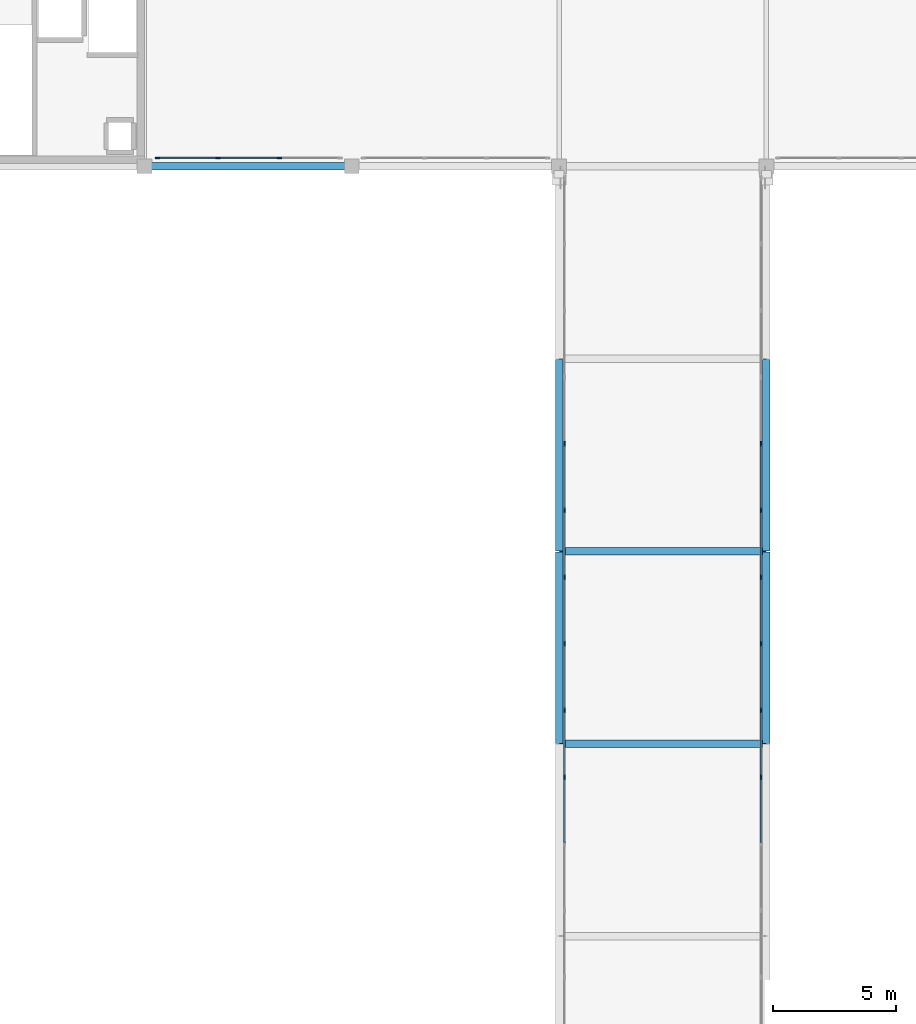
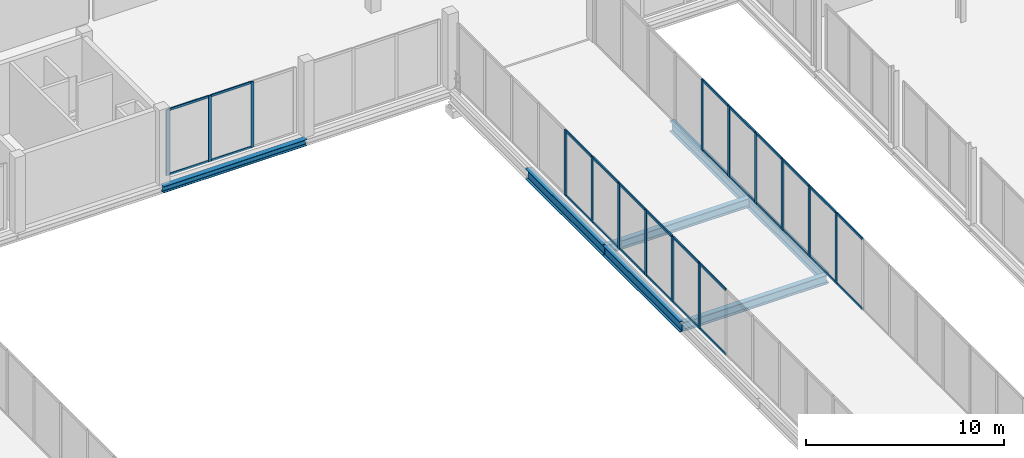
# One storey, part 41 of 98: 43 members, 7 beams, 3 elements without a shape of their own.
"""IFC4 building model written with IfcOpenShell, lengths in metres."""

import ifcopenshell
import ifcopenshell.guid

model = None  # the IFC model being written
_history = None  # IfcOwnerHistory: only IFC2X3 demands one
_inside = {}  # id of a spatial element -> (the spatial element, [elements in it])
_under = {}  # id of a project, library or spatial element -> (it, [spatial elements below it])
_declared = {}  # id of a project -> (the project, [libraries it declares])
_typed = {}  # id of a type object -> (the type object, [elements of that type])
_made_of = {}  # id of a material, layer set ... -> (it, [elements and type objects made of it])


def new_model(schema):
    """Start an empty IFC model of exactly this schema.

    Asked for "IFC4X3", IfcOpenShell would pick the latest addendum, in which some entities
    have other attributes; the version numbers below select the first issue.
    IFC2X3 requires an IfcOwnerHistory on every rooted entity: one is made here for all.
    """
    global model, _history
    if schema == "IFC4X3":
        model = ifcopenshell.file(schema_version=(4, 3, 0, 0))
    else:
        model = ifcopenshell.file(schema=schema)
    _inside.clear()
    _under.clear()
    _declared.clear()
    _typed.clear()
    _made_of.clear()
    _history = None
    if model.schema == "IFC2X3":
        org = make("IfcOrganization", Name="unknown")
        user = make(
            "IfcPersonAndOrganization",
            ThePerson=make("IfcPerson", FamilyName="unknown"),
            TheOrganization=org,
        )
        app = make(
            "IfcApplication",
            ApplicationDeveloper=org,
            Version="unknown",
            ApplicationFullName="unknown",
            ApplicationIdentifier="unknown",
        )
        _history = make(
            "IfcOwnerHistory",
            OwningUser=user,
            OwningApplication=app,
            ChangeAction="ADDED",
            CreationDate=0,
        )
    return model


def make(cls, **values):
    """One entity of the class cls with the attributes given. An attribute that is None is left unset."""
    return model.create_entity(
        cls, **{name: value for name, value in values.items() if value is not None}
    )


def rooted(cls, **values):
    """An entity with a GlobalId (a new one), such as an element, a storey or a relation."""
    return make(cls, GlobalId=ifcopenshell.guid.new(), OwnerHistory=_history, **values)


def si_unit(unit_type, name, prefix=None):
    """IfcSIUnit, for example si_unit("LENGTHUNIT", "METRE", prefix="MILLI")."""
    return make("IfcSIUnit", UnitType=unit_type, Prefix=prefix, Name=name)


def assignment(units):
    """IfcUnitAssignment: the units of a project."""
    return None if units is None else make("IfcUnitAssignment", Units=units)


def point(xyz):
    """IfcCartesianPoint."""
    return None if xyz is None else make("IfcCartesianPoint", Coordinates=xyz)


def direction(xyz):
    """IfcDirection."""
    return None if xyz is None else make("IfcDirection", DirectionRatios=xyz)


def frame(location, z_axis=None, x_axis=None):
    """IfcAxis2Placement3D, a coordinate frame: its origin and axes. An axis left out is left unset."""
    return make(
        "IfcAxis2Placement3D",
        Location=point(location),
        Axis=direction(z_axis),
        RefDirection=direction(x_axis),
    )


def frame_2d(location, x_axis=None):
    """IfcAxis2Placement2D, a coordinate frame in the plane: its origin and x axis."""
    return make(
        "IfcAxis2Placement2D", Location=point(location), RefDirection=direction(x_axis)
    )


def origin():
    """The frame at (0, 0, 0) with its axes left unset."""
    return frame((0.0, 0.0, 0.0))


def origin_2d():
    """The frame at (0, 0) in the plane with its x axis left unset."""
    return frame_2d((0.0, 0.0))


def place(relative_to, where):
    """IfcLocalPlacement: puts the frame where relative to a parent placement (None: the world)."""
    return make(
        "IfcLocalPlacement", PlacementRelTo=relative_to, RelativePlacement=where
    )


def context(
    kind, dimensions, precision=None, world=None, true_north=None, identifier=None
):
    """IfcGeometricRepresentationContext, for example the 3D "Model" context."""
    return make(
        "IfcGeometricRepresentationContext",
        ContextIdentifier=identifier,
        ContextType=kind,
        CoordinateSpaceDimension=dimensions,
        Precision=precision,
        WorldCoordinateSystem=world,
        TrueNorth=true_north,
    )


def subcontext(parent, identifier, kind, view, scale=None):
    """IfcGeometricRepresentationSubContext, for example "Body" below "Model"."""
    return make(
        "IfcGeometricRepresentationSubContext",
        ContextIdentifier=identifier,
        ContextType=kind,
        ParentContext=parent,
        TargetScale=scale,
        TargetView=view,
    )


def project(units=None, contexts=None):
    """IfcProject with its units and contexts."""
    return rooted(
        "IfcProject",
        Name="project",
        RepresentationContexts=contexts,
        UnitsInContext=assignment(units),
    )


def spatial(cls, under=None, at=None, **own):
    """A site, building, storey or space (cls), placed at a placement, below another one or the project."""
    s = rooted(cls, ObjectPlacement=at, **own)
    if under is not None:
        _under.setdefault(under.id(), (under, []))[1].append(s)
    return s


def profile(cls, at=None, kind="AREA", **sizes):
    """A parametric profile (cls). Its sizes go by their IFC names, for example OverallWidth=200.0."""
    return make(cls, ProfileType=kind, Position=at, **sizes)


def rectangle(**sizes):
    """IfcRectangleProfileDef."""
    return profile("IfcRectangleProfileDef", **sizes)


def i_section(**sizes):
    """IfcIShapeProfileDef."""
    return profile("IfcIShapeProfileDef", **sizes)


def extrude(swept, where, along, depth):
    """IfcExtrudedAreaSolid: the profile swept, set in the frame where, extruded along a direction by depth."""
    return make(
        "IfcExtrudedAreaSolid",
        SweptArea=swept,
        Position=where,
        ExtrudedDirection=direction(along),
        Depth=depth,
    )


def shape(context_of_items, identifier, shape_type, items):
    """IfcShapeRepresentation: the items that make up one representation, for example the "Body"."""
    return make(
        "IfcShapeRepresentation",
        ContextOfItems=context_of_items,
        RepresentationIdentifier=identifier,
        RepresentationType=shape_type,
        Items=items,
    )


def material(Name=None, Category=None):
    """IfcMaterial."""
    return make("IfcMaterial", Name=Name, Category=Category)


def material_profile(
    of_material, cross_section, Name=None, Category=None, Priority=None
):
    """IfcMaterialProfile: a cross section and its material."""
    return make(
        "IfcMaterialProfile",
        Name=Name,
        Material=of_material,
        Profile=cross_section,
        Priority=Priority,
        Category=Category,
    )


def profile_set(profiles, Name=None, composite=None):
    """IfcMaterialProfileSet."""
    return make(
        "IfcMaterialProfileSet",
        Name=Name,
        MaterialProfiles=profiles,
        CompositeProfile=composite,
    )


def made_of(thing, what):
    """Note that an element or type object is made of a material, layer set ...; save() writes the relation."""
    if what is not None:
        _made_of.setdefault(what.id(), (what, []))[1].append(thing)
    return thing


def type_object(cls, material=None, **own):
    """A type object (cls), such as IfcWallType, which elements share."""
    return made_of(rooted(cls, **own), material)


def element(
    cls,
    number,
    at=None,
    inside=None,
    cuts=None,
    type_object=None,
    material=None,
    context=None,
    identifier="Body",
    shape_type=None,
    held_by="IfcProductDefinitionShape",
    body=None,
    shapes=None,
    **own,
):
    """One element of the class cls, such as IfcWall. Its Tag is "e" and its number.

    at: its placement. inside: the storey or other place that contains it. cuts: it is an
    opening in that element (IfcRelVoidsElement). A single representation is given by context,
    identifier, shape_type and body (its items); several are given by shapes. held_by: the class
    of the entity that holds the representations. save() writes the other relations.
    """
    e = rooted(cls, Tag="e%d" % number, ObjectPlacement=at, **own)
    if body is not None:
        shapes = [shape(context, identifier, shape_type, body)]
    if shapes is not None:
        e.Representation = make(held_by, Representations=shapes)
    if inside is not None:
        _inside.setdefault(inside.id(), (inside, []))[1].append(e)
    if cuts is not None:
        rooted(
            "IfcRelVoidsElement", RelatingBuildingElement=cuts, RelatedOpeningElement=e
        )
    if type_object is not None:
        _typed.setdefault(type_object.id(), (type_object, []))[1].append(e)
    return made_of(e, material)


def aggregate(whole, parts):
    """IfcRelAggregates: a whole, such as a stair, and the parts it consists of."""
    return rooted("IfcRelAggregates", RelatingObject=whole, RelatedObjects=parts)


def save(model, path):
    """Write the relations noted so far, then the file.

    IfcRelAggregates (storeys below a building ...), IfcRelContainedInSpatialStructure (elements
    in a storey), IfcRelDefinesByType, IfcRelAssociatesMaterial and IfcRelDeclares: one each for
    every whole, place, type object, material and project.
    """
    for whole, parts in _under.values():
        aggregate(whole, parts)
    for where, things in _inside.values():
        rooted(
            "IfcRelContainedInSpatialStructure",
            RelatedElements=things,
            RelatingStructure=where,
        )
    for kind, things in _typed.values():
        rooted("IfcRelDefinesByType", RelatedObjects=things, RelatingType=kind)
    for what, things in _made_of.values():
        rooted("IfcRelAssociatesMaterial", RelatedObjects=things, RelatingMaterial=what)
    for by, libraries in _declared.values():
        rooted("IfcRelDeclares", RelatingContext=by, RelatedDefinitions=libraries)
    model.write(path)


model = new_model("IFC4")

# Units and contexts
model_context = context("Model", 3, precision=1e-05, world=origin(), true_north=direction((0.0, 1.0)))
body_context = subcontext(model_context, "Body", "Model", "MODEL_VIEW")
ifc_project = project(units=[si_unit("LENGTHUNIT", "METRE"), si_unit("AREAUNIT", "SQUARE_METRE"), si_unit("VOLUMEUNIT", "CUBIC_METRE"), si_unit("PLANEANGLEUNIT", "RADIAN"), si_unit("MASSUNIT", "GRAM", prefix="KILO")], contexts=[model_context])

# Site, building, storey
site_placement = place(None, origin())
site = spatial("IfcSite", under=ifc_project, at=site_placement, CompositionType="ELEMENT")
building_placement = place(site_placement, origin())
building = spatial("IfcBuilding", under=site, at=building_placement, Name="Nabrawat Pavilion Hospital", CompositionType="ELEMENT")
storey_placement = place(building_placement, frame((0.0, 0.0, 10.199951171875)))
storey = spatial("IfcBuildingStorey", under=building, at=storey_placement, Name="L02", CompositionType="ELEMENT", Elevation=10.199951171875)

# Beams
ifc_material_1 = material(Name="Steel S355", Category="steel")
ifc_material_profile_1 = material_profile(ifc_material_1, i_section(OverallWidth=0.300048828125, OverallDepth=0.64990234375, WebThickness=0.01611328125, FlangeThickness=0.031005859375, FilletRadius=0.027099609375, at=origin_2d()), Name="HEB 650")
ifc_profile_set_1 = profile_set([ifc_material_profile_1], Name="Steel S355")
beam_type_1 = type_object("IfcBeamType", Name="Courtyard Link Bridge Edge Girder HEB 650", PredefinedType="USERDEFINED", material=ifc_profile_set_1)
for number, where, z_axis, x_axis, name in (
    (1, (109.199951171875, 62.419921875, -0.614990234375), (0.0, 1.0, 0.0), (-1.0, 0.0, 0.0), "L02 Courtyard Link Bridge Edge Girder 1260"),
    (2, (109.199951171875, 70.219970703125, -0.614990234375), (0.0, 1.0, 0.0), (-1.0, 0.0, 0.0), "L02 Courtyard Link Bridge Edge Girder 1261"),
    (3, (117.60009765625, 62.419921875, -0.614990234375), (0.0, 1.0, 0.0), (-1.0, 0.0, 0.0), "L02 Courtyard Link Bridge Edge Girder 1269"),
    (4, (117.60009765625, 70.219970703125, -0.614990234375), (0.0, 1.0, 0.0), (-1.0, 0.0, 0.0), "L02 Courtyard Link Bridge Edge Girder 1270"),
):
    element("IfcBeam", number, at=place(storey_placement, frame(where, z_axis=z_axis, x_axis=x_axis)), inside=storey, type_object=beam_type_1, Name=name, ObjectType="GIRDER", PredefinedType="USERDEFINED", context=body_context, shape_type="SweptSolid", body=[
        extrude(i_section(OverallWidth=0.300048828125, OverallDepth=0.64990234375, WebThickness=0.01611328125, FlangeThickness=0.031005859375, FilletRadius=0.027099609375, at=origin_2d()), origin(), (0.0, 0.0, 1.0), 7.760009765625),
    ])

# Curtain wall, members
ifc_material_2 = material(Name="Anodised Aluminium", Category="aluminium")
curtain_wall_type_1 = type_object("IfcCurtainWallType", Name="Courtyard Link Bridge Glazed Curtain Wall", PredefinedType="USERDEFINED", material=ifc_material_2)
curtain_wall_1_placement = place(storey_placement, origin())
curtain_wall_1 = element("IfcCurtainWall", 5, at=curtain_wall_1_placement, inside=storey, type_object=curtain_wall_type_1, Name="L02 Courtyard Link Bridge Glazed Curtain Wall 126", ObjectType="CURTAIN WALL", PredefinedType="USERDEFINED")
ifc_material_profile_2 = material_profile(ifc_material_2, rectangle(XDim=0.070068359375, YDim=0.199951171875, at=origin_2d()), Name="CWM 70x200")
ifc_profile_set_2 = profile_set([ifc_material_profile_2], Name="Anodised Aluminium")
member_type_1 = type_object("IfcMemberType", Name="Courtyard Link Bridge Glazed Curtain Wall Mullion CWM 70x200", PredefinedType="MULLION", material=ifc_profile_set_2)
member_1_placement = place(storey_placement, frame((109.419921875, 61.04931640625, 0.0), z_axis=(0.0, 0.0, 1.0), x_axis=(-1.0, 0.0, 0.0)))
member_1 = element("IfcMember", 6, at=member_1_placement, type_object=member_type_1, Name="CW-BRG-01 mullion 9", PredefinedType="MULLION", context=body_context, shape_type="SweptSolid", body=[
    extrude(rectangle(XDim=0.070068359375, YDim=0.199951171875, at=origin_2d()), origin(), (0.0, 0.0, 1.0), 4.0400390625),
])
member_2_placement = place(storey_placement, frame((109.419921875, 63.75048828125, 0.0), z_axis=(0.0, 0.0, 1.0), x_axis=(-1.0, 0.0, 0.0)))
member_2 = element("IfcMember", 7, at=member_2_placement, type_object=member_type_1, Name="CW-BRG-01 mullion 10", PredefinedType="MULLION", context=body_context, shape_type="SweptSolid", body=[
    extrude(rectangle(XDim=0.070068359375, YDim=0.199951171875, at=origin_2d()), origin(), (0.0, 0.0, 1.0), 4.0400390625),
])
member_3_placement = place(storey_placement, frame((109.419921875, 66.45166015625, 0.0), z_axis=(0.0, 0.0, 1.0), x_axis=(-1.0, 0.0, 0.0)))
member_3 = element("IfcMember", 8, at=member_3_placement, type_object=member_type_1, Name="CW-BRG-01 mullion 11", PredefinedType="MULLION", context=body_context, shape_type="SweptSolid", body=[
    extrude(rectangle(XDim=0.070068359375, YDim=0.199951171875, at=origin_2d()), origin(), (0.0, 0.0, 1.0), 4.0400390625),
])
member_4_placement = place(storey_placement, frame((109.419921875, 69.15283203125, 0.0), z_axis=(0.0, 0.0, 1.0), x_axis=(-1.0, 0.0, 0.0)))
member_4 = element("IfcMember", 9, at=member_4_placement, type_object=member_type_1, Name="CW-BRG-01 mullion 12", PredefinedType="MULLION", context=body_context, shape_type="SweptSolid", body=[
    extrude(rectangle(XDim=0.070068359375, YDim=0.199951171875, at=origin_2d()), origin(), (0.0, 0.0, 1.0), 4.0400390625),
])
member_5_placement = place(storey_placement, frame((109.419921875, 71.85400390625, 0.0), z_axis=(0.0, 0.0, 1.0), x_axis=(-1.0, 0.0, 0.0)))
member_5 = element("IfcMember", 10, at=member_5_placement, type_object=member_type_1, Name="CW-BRG-01 mullion 13", PredefinedType="MULLION", context=body_context, shape_type="SweptSolid", body=[
    extrude(rectangle(XDim=0.070068359375, YDim=0.199951171875, at=origin_2d()), origin(), (0.0, 0.0, 1.0), 4.0400390625),
])
member_6_placement = place(storey_placement, frame((109.419921875, 74.55517578125, 0.0), z_axis=(0.0, 0.0, 1.0), x_axis=(-1.0, 0.0, 0.0)))
member_6 = element("IfcMember", 11, at=member_6_placement, type_object=member_type_1, Name="CW-BRG-01 mullion 14", PredefinedType="MULLION", context=body_context, shape_type="SweptSolid", body=[
    extrude(rectangle(XDim=0.070068359375, YDim=0.199951171875, at=origin_2d()), origin(), (0.0, 0.0, 1.0), 4.0400390625),
])

curtain_wall_2_placement = place(storey_placement, origin())
curtain_wall_2 = element("IfcCurtainWall", 12, at=curtain_wall_2_placement, inside=storey, type_object=curtain_wall_type_1, Name="L02 Courtyard Link Bridge Glazed Curtain Wall 127", ObjectType="CURTAIN WALL", PredefinedType="USERDEFINED")
member_7_placement = place(storey_placement, frame((117.3798828125, 61.04931640625, 0.0), z_axis=(0.0, 0.0, 1.0), x_axis=(-1.0, 0.0, 0.0)))
member_7 = element("IfcMember", 13, at=member_7_placement, type_object=member_type_1, Name="CW-BRG-01 mullion 9", PredefinedType="MULLION", context=body_context, shape_type="SweptSolid", body=[
    extrude(rectangle(XDim=0.070068359375, YDim=0.199951171875, at=origin_2d()), origin(), (0.0, 0.0, 1.0), 4.3701171875),
])
member_8_placement = place(storey_placement, frame((117.3798828125, 63.75048828125, 0.0), z_axis=(0.0, 0.0, 1.0), x_axis=(-1.0, 0.0, 0.0)))
member_8 = element("IfcMember", 14, at=member_8_placement, type_object=member_type_1, Name="CW-BRG-01 mullion 10", PredefinedType="MULLION", context=body_context, shape_type="SweptSolid", body=[
    extrude(rectangle(XDim=0.070068359375, YDim=0.199951171875, at=origin_2d()), origin(), (0.0, 0.0, 1.0), 4.3701171875),
])
member_9_placement = place(storey_placement, frame((117.3798828125, 66.45166015625, 0.0), z_axis=(0.0, 0.0, 1.0), x_axis=(-1.0, 0.0, 0.0)))
member_9 = element("IfcMember", 15, at=member_9_placement, type_object=member_type_1, Name="CW-BRG-01 mullion 11", PredefinedType="MULLION", context=body_context, shape_type="SweptSolid", body=[
    extrude(rectangle(XDim=0.070068359375, YDim=0.199951171875, at=origin_2d()), origin(), (0.0, 0.0, 1.0), 4.3701171875),
])
member_10_placement = place(storey_placement, frame((117.3798828125, 69.15283203125, 0.0), z_axis=(0.0, 0.0, 1.0), x_axis=(-1.0, 0.0, 0.0)))
member_10 = element("IfcMember", 16, at=member_10_placement, type_object=member_type_1, Name="CW-BRG-01 mullion 12", PredefinedType="MULLION", context=body_context, shape_type="SweptSolid", body=[
    extrude(rectangle(XDim=0.070068359375, YDim=0.199951171875, at=origin_2d()), origin(), (0.0, 0.0, 1.0), 4.3701171875),
])
member_11_placement = place(storey_placement, frame((117.3798828125, 71.85400390625, 0.0), z_axis=(0.0, 0.0, 1.0), x_axis=(-1.0, 0.0, 0.0)))
member_11 = element("IfcMember", 17, at=member_11_placement, type_object=member_type_1, Name="CW-BRG-01 mullion 13", PredefinedType="MULLION", context=body_context, shape_type="SweptSolid", body=[
    extrude(rectangle(XDim=0.070068359375, YDim=0.199951171875, at=origin_2d()), origin(), (0.0, 0.0, 1.0), 4.3701171875),
])
member_12_placement = place(storey_placement, frame((117.3798828125, 74.55517578125, 0.0), z_axis=(0.0, 0.0, 1.0), x_axis=(-1.0, 0.0, 0.0)))
member_12 = element("IfcMember", 18, at=member_12_placement, type_object=member_type_1, Name="CW-BRG-01 mullion 14", PredefinedType="MULLION", context=body_context, shape_type="SweptSolid", body=[
    extrude(rectangle(XDim=0.070068359375, YDim=0.199951171875, at=origin_2d()), origin(), (0.0, 0.0, 1.0), 4.3701171875),
])

# Member
ifc_material_profile_3 = material_profile(ifc_material_2, rectangle(XDim=0.070068359375, YDim=0.14990234375, at=origin_2d()), Name="CWT 70x150")
ifc_profile_set_3 = profile_set([ifc_material_profile_3], Name="Anodised Aluminium")
member_type_2 = type_object("IfcMemberType", Name="Courtyard Link Bridge Glazed Curtain Wall Transom CWT 70x150", PredefinedType="USERDEFINED", material=ifc_profile_set_3)
member_13_placement = place(storey_placement, frame((109.419921875, 58.38330078125, 0.03515625), z_axis=(0.0, 1.0, 0.0), x_axis=(-1.0, 0.0, 0.0)))
member_13 = element("IfcMember", 19, at=member_13_placement, type_object=member_type_2, Name="CW-BRG-01 transom 8.1", ObjectType="TRANSOM", PredefinedType="USERDEFINED", context=body_context, shape_type="SweptSolid", body=[
    extrude(rectangle(XDim=0.070068359375, YDim=0.14990234375, at=origin_2d()), origin(), (0.0, 0.0, 1.0), 2.631103515625),
])

member_14_placement = place(storey_placement, frame((109.419921875, 58.38330078125, 4.005126953125), z_axis=(0.0, 1.0, 0.0), x_axis=(-1.0, 0.0, 0.0)))
member_14 = element("IfcMember", 20, at=member_14_placement, type_object=member_type_2, Name="CW-BRG-01 transom 8.2", ObjectType="TRANSOM", PredefinedType="USERDEFINED", context=body_context, shape_type="SweptSolid", body=[
    extrude(rectangle(XDim=0.070068359375, YDim=0.14990234375, at=origin_2d()), origin(), (0.0, 0.0, 1.0), 2.631103515625),
])

member_15_placement = place(storey_placement, frame((109.419921875, 61.08447265625, 0.03515625), z_axis=(0.0, 1.0, 0.0), x_axis=(-1.0, 0.0, 0.0)))
member_15 = element("IfcMember", 21, at=member_15_placement, type_object=member_type_2, Name="CW-BRG-01 transom 9.1", ObjectType="TRANSOM", PredefinedType="USERDEFINED", context=body_context, shape_type="SweptSolid", body=[
    extrude(rectangle(XDim=0.070068359375, YDim=0.14990234375, at=origin_2d()), origin(), (0.0, 0.0, 1.0), 2.631103515625),
])

member_16_placement = place(storey_placement, frame((109.419921875, 61.08447265625, 4.005126953125), z_axis=(0.0, 1.0, 0.0), x_axis=(-1.0, 0.0, 0.0)))
member_16 = element("IfcMember", 22, at=member_16_placement, type_object=member_type_2, Name="CW-BRG-01 transom 9.2", ObjectType="TRANSOM", PredefinedType="USERDEFINED", context=body_context, shape_type="SweptSolid", body=[
    extrude(rectangle(XDim=0.070068359375, YDim=0.14990234375, at=origin_2d()), origin(), (0.0, 0.0, 1.0), 2.631103515625),
])

member_17_placement = place(storey_placement, frame((109.419921875, 63.78564453125, 0.03515625), z_axis=(0.0, 1.0, 0.0), x_axis=(-1.0, 0.0, 0.0)))
member_17 = element("IfcMember", 23, at=member_17_placement, type_object=member_type_2, Name="CW-BRG-01 transom 10.1", ObjectType="TRANSOM", PredefinedType="USERDEFINED", context=body_context, shape_type="SweptSolid", body=[
    extrude(rectangle(XDim=0.070068359375, YDim=0.14990234375, at=origin_2d()), origin(), (0.0, 0.0, 1.0), 2.631103515625),
])

member_18_placement = place(storey_placement, frame((109.419921875, 63.78564453125, 4.005126953125), z_axis=(0.0, 1.0, 0.0), x_axis=(-1.0, 0.0, 0.0)))
member_18 = element("IfcMember", 24, at=member_18_placement, type_object=member_type_2, Name="CW-BRG-01 transom 10.2", ObjectType="TRANSOM", PredefinedType="USERDEFINED", context=body_context, shape_type="SweptSolid", body=[
    extrude(rectangle(XDim=0.070068359375, YDim=0.14990234375, at=origin_2d()), origin(), (0.0, 0.0, 1.0), 2.631103515625),
])

member_19_placement = place(storey_placement, frame((109.419921875, 66.48681640625, 0.03515625), z_axis=(0.0, 1.0, 0.0), x_axis=(-1.0, 0.0, 0.0)))
member_19 = element("IfcMember", 25, at=member_19_placement, type_object=member_type_2, Name="CW-BRG-01 transom 11.1", ObjectType="TRANSOM", PredefinedType="USERDEFINED", context=body_context, shape_type="SweptSolid", body=[
    extrude(rectangle(XDim=0.070068359375, YDim=0.14990234375, at=origin_2d()), origin(), (0.0, 0.0, 1.0), 2.631103515625),
])

member_20_placement = place(storey_placement, frame((109.419921875, 66.48681640625, 4.005126953125), z_axis=(0.0, 1.0, 0.0), x_axis=(-1.0, 0.0, 0.0)))
member_20 = element("IfcMember", 26, at=member_20_placement, type_object=member_type_2, Name="CW-BRG-01 transom 11.2", ObjectType="TRANSOM", PredefinedType="USERDEFINED", context=body_context, shape_type="SweptSolid", body=[
    extrude(rectangle(XDim=0.070068359375, YDim=0.14990234375, at=origin_2d()), origin(), (0.0, 0.0, 1.0), 2.631103515625),
])

member_21_placement = place(storey_placement, frame((109.419921875, 69.18798828125, 0.03515625), z_axis=(0.0, 1.0, 0.0), x_axis=(-1.0, 0.0, 0.0)))
member_21 = element("IfcMember", 27, at=member_21_placement, type_object=member_type_2, Name="CW-BRG-01 transom 12.1", ObjectType="TRANSOM", PredefinedType="USERDEFINED", context=body_context, shape_type="SweptSolid", body=[
    extrude(rectangle(XDim=0.070068359375, YDim=0.14990234375, at=origin_2d()), origin(), (0.0, 0.0, 1.0), 2.631103515625),
])

member_22_placement = place(storey_placement, frame((109.419921875, 69.18798828125, 4.005126953125), z_axis=(0.0, 1.0, 0.0), x_axis=(-1.0, 0.0, 0.0)))
member_22 = element("IfcMember", 28, at=member_22_placement, type_object=member_type_2, Name="CW-BRG-01 transom 12.2", ObjectType="TRANSOM", PredefinedType="USERDEFINED", context=body_context, shape_type="SweptSolid", body=[
    extrude(rectangle(XDim=0.070068359375, YDim=0.14990234375, at=origin_2d()), origin(), (0.0, 0.0, 1.0), 2.631103515625),
])

member_23_placement = place(storey_placement, frame((109.419921875, 71.88916015625, 0.03515625), z_axis=(0.0, 1.0, 0.0), x_axis=(-1.0, 0.0, 0.0)))
member_23 = element("IfcMember", 29, at=member_23_placement, type_object=member_type_2, Name="CW-BRG-01 transom 13.1", ObjectType="TRANSOM", PredefinedType="USERDEFINED", context=body_context, shape_type="SweptSolid", body=[
    extrude(rectangle(XDim=0.070068359375, YDim=0.14990234375, at=origin_2d()), origin(), (0.0, 0.0, 1.0), 2.631103515625),
])

member_24_placement = place(storey_placement, frame((109.419921875, 71.88916015625, 4.005126953125), z_axis=(0.0, 1.0, 0.0), x_axis=(-1.0, 0.0, 0.0)))
member_24 = element("IfcMember", 30, at=member_24_placement, type_object=member_type_2, Name="CW-BRG-01 transom 13.2", ObjectType="TRANSOM", PredefinedType="USERDEFINED", context=body_context, shape_type="SweptSolid", body=[
    extrude(rectangle(XDim=0.070068359375, YDim=0.14990234375, at=origin_2d()), origin(), (0.0, 0.0, 1.0), 2.631103515625),
])

aggregate(curtain_wall_1, [member_1, member_2, member_3, member_4, member_5, member_6, member_13, member_14, member_15, member_16, member_17, member_18, member_19, member_20, member_21, member_22, member_23, member_24])

member_25_placement = place(storey_placement, frame((117.3798828125, 58.38330078125, 0.03515625), z_axis=(0.0, 1.0, 0.0), x_axis=(-1.0, 0.0, 0.0)))
member_25 = element("IfcMember", 31, at=member_25_placement, type_object=member_type_2, Name="CW-BRG-01 transom 8.1", ObjectType="TRANSOM", PredefinedType="USERDEFINED", context=body_context, shape_type="SweptSolid", body=[
    extrude(rectangle(XDim=0.070068359375, YDim=0.14990234375, at=origin_2d()), origin(), (0.0, 0.0, 1.0), 2.631103515625),
])

member_26_placement = place(storey_placement, frame((117.3798828125, 58.38330078125, 4.3349609375), z_axis=(0.0, 1.0, 0.0), x_axis=(-1.0, 0.0, 0.0)))
member_26 = element("IfcMember", 32, at=member_26_placement, type_object=member_type_2, Name="CW-BRG-01 transom 8.2", ObjectType="TRANSOM", PredefinedType="USERDEFINED", context=body_context, shape_type="SweptSolid", body=[
    extrude(rectangle(XDim=0.070068359375, YDim=0.14990234375, at=origin_2d()), origin(), (0.0, 0.0, 1.0), 2.631103515625),
])

member_27_placement = place(storey_placement, frame((117.3798828125, 61.08447265625, 0.03515625), z_axis=(0.0, 1.0, 0.0), x_axis=(-1.0, 0.0, 0.0)))
member_27 = element("IfcMember", 33, at=member_27_placement, type_object=member_type_2, Name="CW-BRG-01 transom 9.1", ObjectType="TRANSOM", PredefinedType="USERDEFINED", context=body_context, shape_type="SweptSolid", body=[
    extrude(rectangle(XDim=0.070068359375, YDim=0.14990234375, at=origin_2d()), origin(), (0.0, 0.0, 1.0), 2.631103515625),
])

member_28_placement = place(storey_placement, frame((117.3798828125, 61.08447265625, 4.3349609375), z_axis=(0.0, 1.0, 0.0), x_axis=(-1.0, 0.0, 0.0)))
member_28 = element("IfcMember", 34, at=member_28_placement, type_object=member_type_2, Name="CW-BRG-01 transom 9.2", ObjectType="TRANSOM", PredefinedType="USERDEFINED", context=body_context, shape_type="SweptSolid", body=[
    extrude(rectangle(XDim=0.070068359375, YDim=0.14990234375, at=origin_2d()), origin(), (0.0, 0.0, 1.0), 2.631103515625),
])

member_29_placement = place(storey_placement, frame((117.3798828125, 63.78564453125, 0.03515625), z_axis=(0.0, 1.0, 0.0), x_axis=(-1.0, 0.0, 0.0)))
member_29 = element("IfcMember", 35, at=member_29_placement, type_object=member_type_2, Name="CW-BRG-01 transom 10.1", ObjectType="TRANSOM", PredefinedType="USERDEFINED", context=body_context, shape_type="SweptSolid", body=[
    extrude(rectangle(XDim=0.070068359375, YDim=0.14990234375, at=origin_2d()), origin(), (0.0, 0.0, 1.0), 2.631103515625),
])

member_30_placement = place(storey_placement, frame((117.3798828125, 63.78564453125, 4.3349609375), z_axis=(0.0, 1.0, 0.0), x_axis=(-1.0, 0.0, 0.0)))
member_30 = element("IfcMember", 36, at=member_30_placement, type_object=member_type_2, Name="CW-BRG-01 transom 10.2", ObjectType="TRANSOM", PredefinedType="USERDEFINED", context=body_context, shape_type="SweptSolid", body=[
    extrude(rectangle(XDim=0.070068359375, YDim=0.14990234375, at=origin_2d()), origin(), (0.0, 0.0, 1.0), 2.631103515625),
])

member_31_placement = place(storey_placement, frame((117.3798828125, 66.48681640625, 0.03515625), z_axis=(0.0, 1.0, 0.0), x_axis=(-1.0, 0.0, 0.0)))
member_31 = element("IfcMember", 37, at=member_31_placement, type_object=member_type_2, Name="CW-BRG-01 transom 11.1", ObjectType="TRANSOM", PredefinedType="USERDEFINED", context=body_context, shape_type="SweptSolid", body=[
    extrude(rectangle(XDim=0.070068359375, YDim=0.14990234375, at=origin_2d()), origin(), (0.0, 0.0, 1.0), 2.631103515625),
])

member_32_placement = place(storey_placement, frame((117.3798828125, 66.48681640625, 4.3349609375), z_axis=(0.0, 1.0, 0.0), x_axis=(-1.0, 0.0, 0.0)))
member_32 = element("IfcMember", 38, at=member_32_placement, type_object=member_type_2, Name="CW-BRG-01 transom 11.2", ObjectType="TRANSOM", PredefinedType="USERDEFINED", context=body_context, shape_type="SweptSolid", body=[
    extrude(rectangle(XDim=0.070068359375, YDim=0.14990234375, at=origin_2d()), origin(), (0.0, 0.0, 1.0), 2.631103515625),
])

member_33_placement = place(storey_placement, frame((117.3798828125, 69.18798828125, 0.03515625), z_axis=(0.0, 1.0, 0.0), x_axis=(-1.0, 0.0, 0.0)))
member_33 = element("IfcMember", 39, at=member_33_placement, type_object=member_type_2, Name="CW-BRG-01 transom 12.1", ObjectType="TRANSOM", PredefinedType="USERDEFINED", context=body_context, shape_type="SweptSolid", body=[
    extrude(rectangle(XDim=0.070068359375, YDim=0.14990234375, at=origin_2d()), origin(), (0.0, 0.0, 1.0), 2.631103515625),
])

member_34_placement = place(storey_placement, frame((117.3798828125, 69.18798828125, 4.3349609375), z_axis=(0.0, 1.0, 0.0), x_axis=(-1.0, 0.0, 0.0)))
member_34 = element("IfcMember", 40, at=member_34_placement, type_object=member_type_2, Name="CW-BRG-01 transom 12.2", ObjectType="TRANSOM", PredefinedType="USERDEFINED", context=body_context, shape_type="SweptSolid", body=[
    extrude(rectangle(XDim=0.070068359375, YDim=0.14990234375, at=origin_2d()), origin(), (0.0, 0.0, 1.0), 2.631103515625),
])

member_35_placement = place(storey_placement, frame((117.3798828125, 71.88916015625, 0.03515625), z_axis=(0.0, 1.0, 0.0), x_axis=(-1.0, 0.0, 0.0)))
member_35 = element("IfcMember", 41, at=member_35_placement, type_object=member_type_2, Name="CW-BRG-01 transom 13.1", ObjectType="TRANSOM", PredefinedType="USERDEFINED", context=body_context, shape_type="SweptSolid", body=[
    extrude(rectangle(XDim=0.070068359375, YDim=0.14990234375, at=origin_2d()), origin(), (0.0, 0.0, 1.0), 2.631103515625),
])

member_36_placement = place(storey_placement, frame((117.3798828125, 71.88916015625, 4.3349609375), z_axis=(0.0, 1.0, 0.0), x_axis=(-1.0, 0.0, 0.0)))
member_36 = element("IfcMember", 42, at=member_36_placement, type_object=member_type_2, Name="CW-BRG-01 transom 13.2", ObjectType="TRANSOM", PredefinedType="USERDEFINED", context=body_context, shape_type="SweptSolid", body=[
    extrude(rectangle(XDim=0.070068359375, YDim=0.14990234375, at=origin_2d()), origin(), (0.0, 0.0, 1.0), 2.631103515625),
])

aggregate(curtain_wall_2, [member_7, member_8, member_9, member_10, member_11, member_12, member_25, member_26, member_27, member_28, member_29, member_30, member_31, member_32, member_33, member_34, member_35, member_36])

# Curtain wall, members
curtain_wall_type_2 = type_object("IfcCurtainWallType", Name="Healing Garden Cloister Curtain Wall", PredefinedType="USERDEFINED", material=ifc_material_2)
curtain_wall_3_placement = place(storey_placement, origin())
curtain_wall_3 = element("IfcCurtainWall", 43, at=curtain_wall_3_placement, inside=storey, type_object=curtain_wall_type_2, Name="L02 Healing Garden Cloister Curtain Wall 124", ObjectType="CURTAIN WALL", PredefinedType="USERDEFINED")
ifc_material_profile_4 = material_profile(ifc_material_2, rectangle(XDim=0.06494140625, YDim=0.179931640625, at=origin_2d()), Name="CWM 65x180")
ifc_profile_set_4 = profile_set([ifc_material_profile_4], Name="Anodised Aluminium")
member_type_3 = type_object("IfcMemberType", Name="Healing Garden Cloister Curtain Wall Mullion CWM 65x180", PredefinedType="MULLION", material=ifc_profile_set_4)
member_37_placement = place(storey_placement, frame((92.9326171875, 86.139892578125, 0.0), z_axis=(0.0, 0.0, 1.0), x_axis=(0.0, 1.0, 0.0)))
member_37 = element("IfcMember", 44, at=member_37_placement, type_object=member_type_3, Name="CW-CLN-01 mullion 1", PredefinedType="MULLION", context=body_context, shape_type="SweptSolid", body=[
    extrude(rectangle(XDim=0.06494140625, YDim=0.179931640625, at=origin_2d()), origin(), (0.0, 0.0, 1.0), 4.0400390625),
])
member_38_placement = place(storey_placement, frame((95.38671875, 86.139892578125, 0.0), z_axis=(0.0, 0.0, 1.0), x_axis=(0.0, 1.0, 0.0)))
member_38 = element("IfcMember", 45, at=member_38_placement, type_object=member_type_3, Name="CW-CLN-01 mullion 2", PredefinedType="MULLION", context=body_context, shape_type="SweptSolid", body=[
    extrude(rectangle(XDim=0.06494140625, YDim=0.179931640625, at=origin_2d()), origin(), (0.0, 0.0, 1.0), 4.0400390625),
])
member_39_placement = place(storey_placement, frame((97.873291015625, 86.139892578125, 0.0), z_axis=(0.0, 0.0, 1.0), x_axis=(0.0, 1.0, 0.0)))
member_39 = element("IfcMember", 46, at=member_39_placement, type_object=member_type_3, Name="CW-CLN-01 mullion 3", PredefinedType="MULLION", context=body_context, shape_type="SweptSolid", body=[
    extrude(rectangle(XDim=0.06494140625, YDim=0.179931640625, at=origin_2d()), origin(), (0.0, 0.0, 1.0), 4.0400390625),
])
ifc_material_profile_5 = material_profile(ifc_material_2, rectangle(XDim=0.06494140625, YDim=0.135009765625, at=origin_2d()), Name="CWT 65x135")
ifc_profile_set_5 = profile_set([ifc_material_profile_5], Name="Anodised Aluminium")
member_type_4 = type_object("IfcMemberType", Name="Healing Garden Cloister Curtain Wall Transom CWT 65x135", PredefinedType="USERDEFINED", material=ifc_profile_set_5)
member_40_placement = place(storey_placement, frame((92.965087890625, 86.139892578125, 0.032470703125), z_axis=(1.0, 0.0, 0.0), x_axis=(0.0, 1.0, 0.0)))
member_40 = element("IfcMember", 47, at=member_40_placement, type_object=member_type_4, Name="CW-CLN-01 transom 1.1", ObjectType="TRANSOM", PredefinedType="USERDEFINED", context=body_context, shape_type="SweptSolid", body=[
    extrude(rectangle(XDim=0.06494140625, YDim=0.135009765625, at=origin_2d()), origin(), (0.0, 0.0, 1.0), 2.38916015625),
])
member_41_placement = place(storey_placement, frame((92.965087890625, 86.139892578125, 4.007568359375), z_axis=(1.0, 0.0, 0.0), x_axis=(0.0, 1.0, 0.0)))
member_41 = element("IfcMember", 48, at=member_41_placement, type_object=member_type_4, Name="CW-CLN-01 transom 1.2", ObjectType="TRANSOM", PredefinedType="USERDEFINED", context=body_context, shape_type="SweptSolid", body=[
    extrude(rectangle(XDim=0.06494140625, YDim=0.135009765625, at=origin_2d()), origin(), (0.0, 0.0, 1.0), 2.38916015625),
])
member_42_placement = place(storey_placement, frame((95.419189453125, 86.139892578125, 0.032470703125), z_axis=(1.0, 0.0, 0.0), x_axis=(0.0, 1.0, 0.0)))
member_42 = element("IfcMember", 49, at=member_42_placement, type_object=member_type_4, Name="CW-CLN-01 transom 2.1", ObjectType="TRANSOM", PredefinedType="USERDEFINED", context=body_context, shape_type="SweptSolid", body=[
    extrude(rectangle(XDim=0.06494140625, YDim=0.135009765625, at=origin_2d()), origin(), (0.0, 0.0, 1.0), 2.421630859375),
])
member_43_placement = place(storey_placement, frame((95.419189453125, 86.139892578125, 4.007568359375), z_axis=(1.0, 0.0, 0.0), x_axis=(0.0, 1.0, 0.0)))
member_43 = element("IfcMember", 50, at=member_43_placement, type_object=member_type_4, Name="CW-CLN-01 transom 2.2", ObjectType="TRANSOM", PredefinedType="USERDEFINED", context=body_context, shape_type="SweptSolid", body=[
    extrude(rectangle(XDim=0.06494140625, YDim=0.135009765625, at=origin_2d()), origin(), (0.0, 0.0, 1.0), 2.421630859375),
])
aggregate(curtain_wall_3, [member_37, member_38, member_39, member_40, member_41, member_42, member_43])

# Beams
ifc_material_profile_6 = material_profile(ifc_material_1, i_section(OverallWidth=0.300048828125, OverallDepth=0.389892578125, WebThickness=0.010986328125, FlangeThickness=0.01904296875, FilletRadius=0.027099609375, at=origin_2d()), Name="HEA 400")
ifc_profile_set_6 = profile_set([ifc_material_profile_6], Name="Steel S355")
beam_type_2 = type_object("IfcBeamType", Name="Perimeter Moment Spandrel Beam HEA 400", PredefinedType="SPANDREL", material=ifc_profile_set_6)
beam_placement = place(storey_placement, frame((92.419921875, 85.800048828125, -0.445068359375), z_axis=(1.0, 0.0, 0.0), x_axis=(0.0, 1.0, 0.0)))
element("IfcBeam", 51, at=beam_placement, inside=storey, type_object=beam_type_2, Name="L02 Primary X Girder 1088", PredefinedType="SPANDREL", context=body_context, shape_type="SweptSolid", body=[
    extrude(i_section(OverallWidth=0.300048828125, OverallDepth=0.389892578125, WebThickness=0.010986328125, FlangeThickness=0.01904296875, FilletRadius=0.027099609375, at=origin_2d()), origin(), (0.0, 0.0, 1.0), 8.360107421875),
])
ifc_material_profile_7 = material_profile(ifc_material_1, i_section(OverallWidth=0.300048828125, OverallDepth=0.550048828125, WebThickness=0.014892578125, FlangeThickness=0.029052734375, FilletRadius=0.027099609375, at=origin_2d()), Name="HEB 550")
ifc_profile_set_7 = profile_set([ifc_material_profile_7], Name="Steel S355")
beam_type_3 = type_object("IfcBeamType", Name="Primary Floor Girder HEB 550", PredefinedType="USERDEFINED", material=ifc_profile_set_7)
for number, where, z_axis, x_axis, name in (
    (52, (109.219970703125, 62.39990234375, -0.56494140625), (1.0, 0.0, 0.0), (0.0, 1.0, 0.0), "L02 Courtyard Link Bridge Girder 1045"),
    (53, (109.219970703125, 70.199951171875, -0.56494140625), (1.0, 0.0, 0.0), (0.0, 1.0, 0.0), "L02 Courtyard Link Bridge Girder 1056"),
):
    element("IfcBeam", number, at=place(storey_placement, frame(where, z_axis=z_axis, x_axis=x_axis)), inside=storey, type_object=beam_type_3, Name=name, ObjectType="GIRDER", PredefinedType="USERDEFINED", context=body_context, shape_type="SweptSolid", body=[
        extrude(i_section(OverallWidth=0.300048828125, OverallDepth=0.550048828125, WebThickness=0.014892578125, FlangeThickness=0.029052734375, FilletRadius=0.027099609375, at=origin_2d()), origin(), (0.0, 0.0, 1.0), 8.360107421875),
    ])

save(model, "model.ifc")
